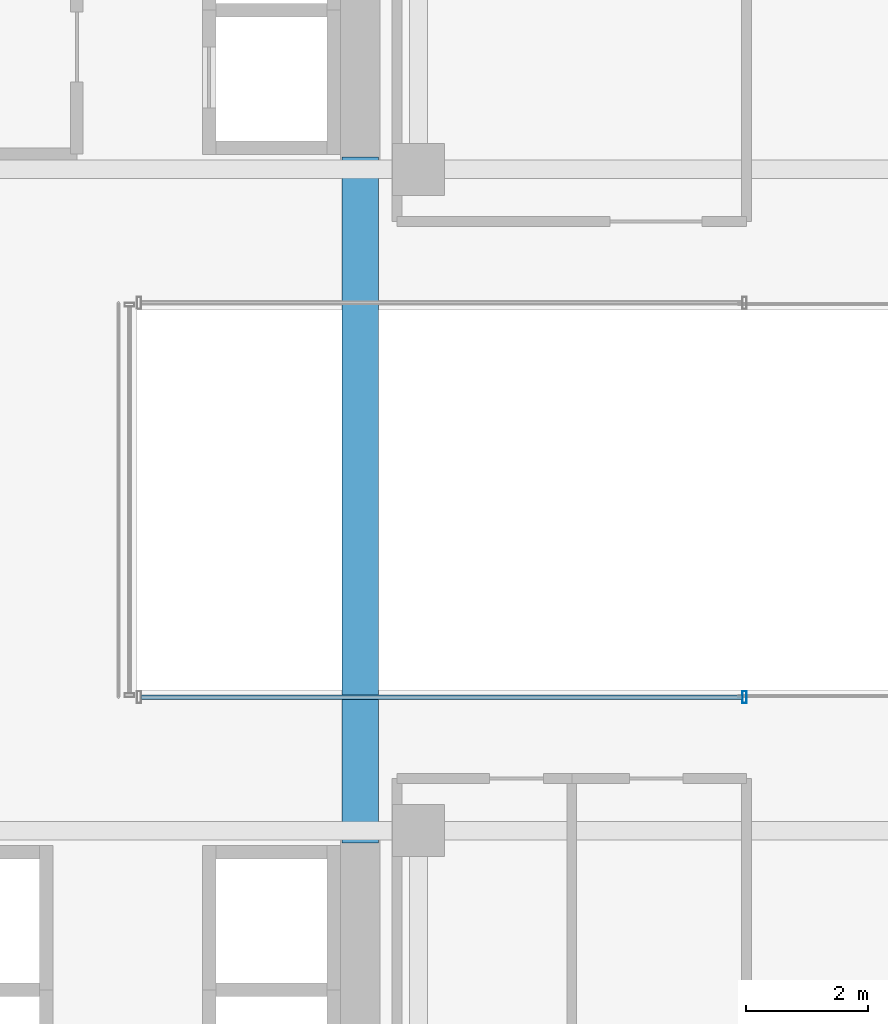
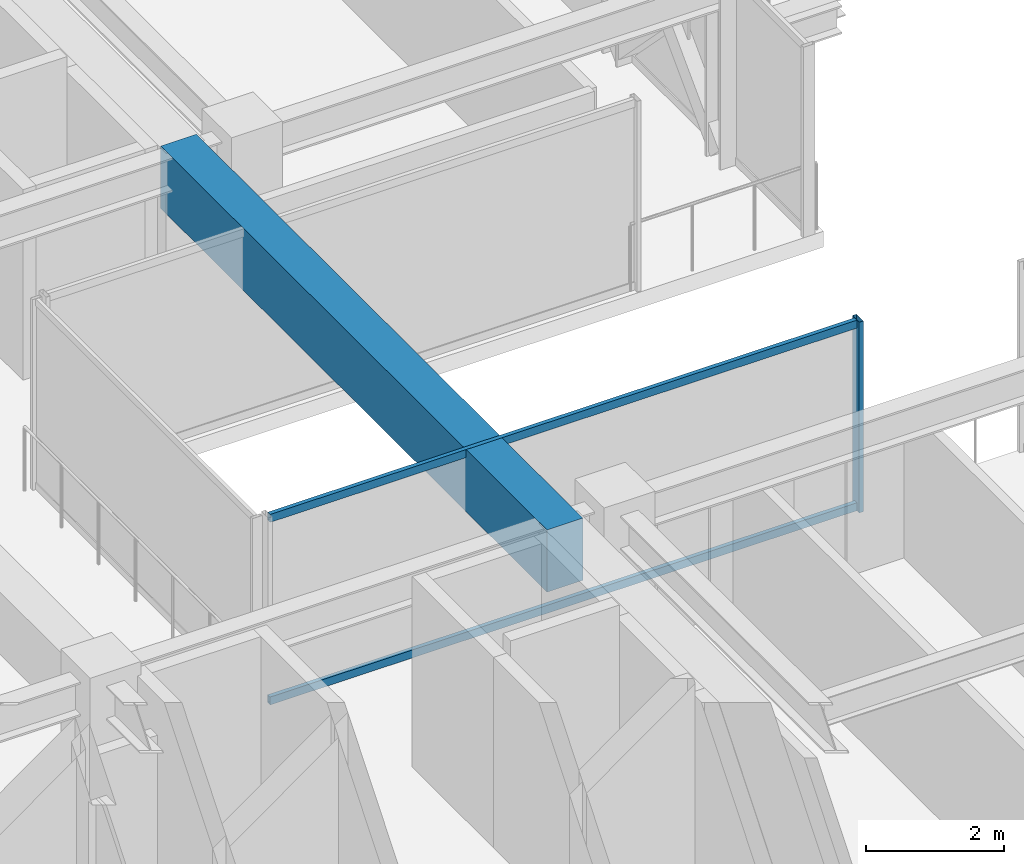
# One storey, part 17 of 43: 3 members, 1 beam, 1 element without a shape of its own.
"""IFC4 building model written with IfcOpenShell, lengths in metres."""

from ifc_helpers import new_model, si_unit, direction, frame, origin, origin_2d, place, context, subcontext, project, spatial, rectangle, hollow_rectangle, extrude, source, transform, mapped, material, material_profile, profile_set, type_object, element, aggregate, save


model = new_model("IFC4")

# Units and contexts
model_context = context("Model", 3, precision=1e-05, world=origin(), true_north=direction((0.0, 1.0)))
body_context = subcontext(model_context, "Body", "Model", "MODEL_VIEW")
ifc_project = project(units=[si_unit("LENGTHUNIT", "METRE"), si_unit("AREAUNIT", "SQUARE_METRE"), si_unit("VOLUMEUNIT", "CUBIC_METRE"), si_unit("PLANEANGLEUNIT", "RADIAN"), si_unit("MASSUNIT", "GRAM", prefix="KILO")], contexts=[model_context])

# Site, building, storey
site_placement = place(None, origin())
site = spatial("IfcSite", under=ifc_project, at=site_placement, CompositionType="ELEMENT")
building_placement = place(site_placement, origin())
building = spatial("IfcBuilding", under=site, at=building_placement, Name="Nahalor Promenade Grand Hotel", CompositionType="ELEMENT")
storey_placement = place(building_placement, frame((0.0, 0.0, 57.949951171875)))
storey = spatial("IfcBuildingStorey", under=building, at=storey_placement, Name="L13", CompositionType="ELEMENT", Elevation=57.949951171875)

# Beam
ifc_material_1 = material(Name="Concrete B-60 (C50/60)", Category="concrete")
ifc_material_profile_1 = material_profile(ifc_material_1, rectangle(XDim=0.6, YDim=1.1, at=origin_2d()), Name="RC 600x1100")
ifc_profile_set_1 = profile_set([ifc_material_profile_1], Name="Concrete B-60 (C50/60)")
beam_type = type_object("IfcBeamType", Name="Beam-Lintel-RC1100", PredefinedType="LINTEL", material=ifc_profile_set_1)
shared_shape_1 = source(origin(), body_context, "Body", "SweptSolid", [
    extrude(rectangle(XDim=0.6, YDim=1.1, at=origin_2d()), origin(), (0.0, 0.0, 1.0), 11.2001953125),
])
beam_placement = place(storey_placement, frame((16.050048828125, -5.60009765625, 2.820068359375), z_axis=(0.0, 1.0, 0.0), x_axis=(-1.0, 0.0, 0.0)))
element("IfcBeam", 1, at=beam_placement, inside=storey, type_object=beam_type, Name="BM-L13-LINT-E", PredefinedType="LINTEL", context=body_context, shape_type="MappedRepresentation", body=[
    mapped(shared_shape_1, transform((0.0, 0.0, 0.0), scale=1.0)),
])

# Curtain wall, members
ifc_material_2 = material(Name="Anodised Bronze Aluminium EN AW-6063 T6", Category="aluminium")
curtain_wall_type = type_object("IfcCurtainWallType", Name="CW3 Elliptical-Void Collar Unitised Curtain Wall", PredefinedType="USERDEFINED", material=ifc_material_2)
curtain_wall_placement = place(storey_placement, origin())
curtain_wall = element("IfcCurtainWall", 2, at=curtain_wall_placement, inside=storey, type_object=curtain_wall_type, Name="L13 Curtain Wall CW-L13-VOID-ES1", ObjectType="UNITISED_CURTAIN_WALL", PredefinedType="USERDEFINED")
ifc_material_profile_2 = material_profile(ifc_material_2, hollow_rectangle(XDim=0.07, YDim=0.14, WallThickness=0.004, at=origin_2d()), Name="CWT 70x140x4")
ifc_profile_set_2 = profile_set([ifc_material_profile_2], Name="Anodised Bronze Aluminium EN AW-6063 T6")
member_type_1 = type_object("IfcMemberType", Name="CWT3 Void Collar Transom 70x140", PredefinedType="USERDEFINED", material=ifc_profile_set_2)
shared_shape_2 = source(origin(), body_context, "Body", "SweptSolid", [
    extrude(hollow_rectangle(XDim=0.07, YDim=0.14, WallThickness=0.004, at=origin_2d()), origin(), (0.0, 0.0, 1.0), 9.820068359375),
])
member_1_placement = place(storey_placement, frame((12.469970703125, -3.219970703125, 0.070068359375), z_axis=(1.0, 0.0, 0.0), x_axis=(0.0, 1.0, 0.0)))
member_1 = element("IfcMember", 3, at=member_1_placement, type_object=member_type_1, Name="CW-L13-VOID-ES1 Transom 0-0", ObjectType="TRANSOM", PredefinedType="USERDEFINED", context=body_context, shape_type="MappedRepresentation", body=[
    mapped(shared_shape_2, transform((0.0, 0.0, 0.0), scale=1.0)),
])
member_2_placement = place(storey_placement, frame((12.469970703125, -3.219970703125, 3.300048828125), z_axis=(1.0, 0.0, 0.0), x_axis=(0.0, 1.0, 0.0)))
member_2 = element("IfcMember", 4, at=member_2_placement, type_object=member_type_1, Name="CW-L13-VOID-ES1 Transom 0-1", ObjectType="TRANSOM", PredefinedType="USERDEFINED", context=body_context, shape_type="MappedRepresentation", body=[
    mapped(shared_shape_2, transform((0.0, 0.0, 0.0), scale=1.0)),
])
ifc_material_profile_3 = material_profile(ifc_material_2, hollow_rectangle(XDim=0.07, YDim=0.2, WallThickness=0.005, at=origin_2d()), Name="CWM 70x200x5")
ifc_profile_set_3 = profile_set([ifc_material_profile_3], Name="Anodised Bronze Aluminium EN AW-6063 T6")
member_type_2 = type_object("IfcMemberType", Name="CWM3 Void Collar Mullion 70x200", PredefinedType="MULLION", material=ifc_profile_set_3)
shared_shape_3 = source(origin(), body_context, "Body", "SweptSolid", [
    extrude(hollow_rectangle(XDim=0.07, YDim=0.2, WallThickness=0.005, at=origin_2d()), origin(), (0.0, 0.0, 1.0), 3.3701171875),
])
member_3_placement = place(storey_placement, frame((22.324951171875, -3.219970703125, 0.0), z_axis=(0.0, 0.0, 1.0), x_axis=(1.0, 0.0, 0.0)))
member_3 = element("IfcMember", 5, at=member_3_placement, type_object=member_type_2, Name="CW-L13-VOID-ES1 Mullion 1", PredefinedType="MULLION", context=body_context, shape_type="MappedRepresentation", body=[
    mapped(shared_shape_3, transform((0.0, 0.0, 0.0), scale=1.0)),
])
aggregate(curtain_wall, [member_3, member_1, member_2])

save(model, "model.ifc")
